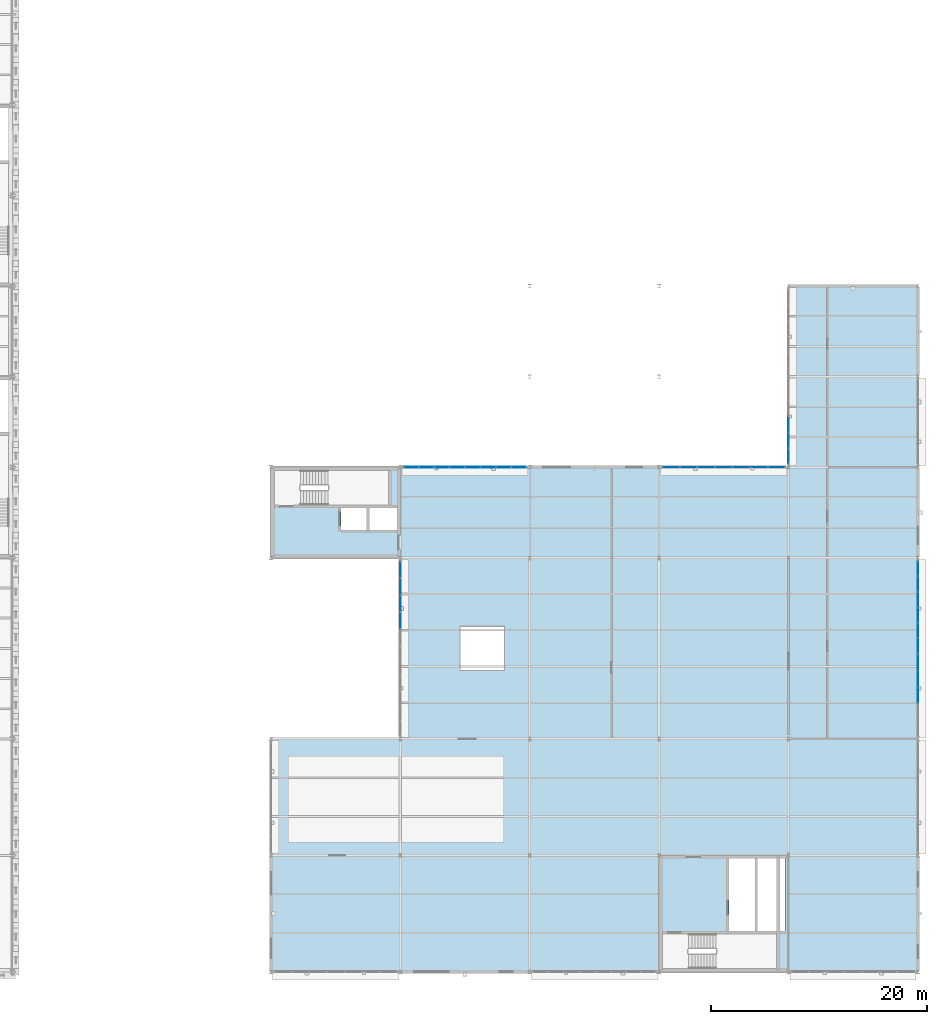
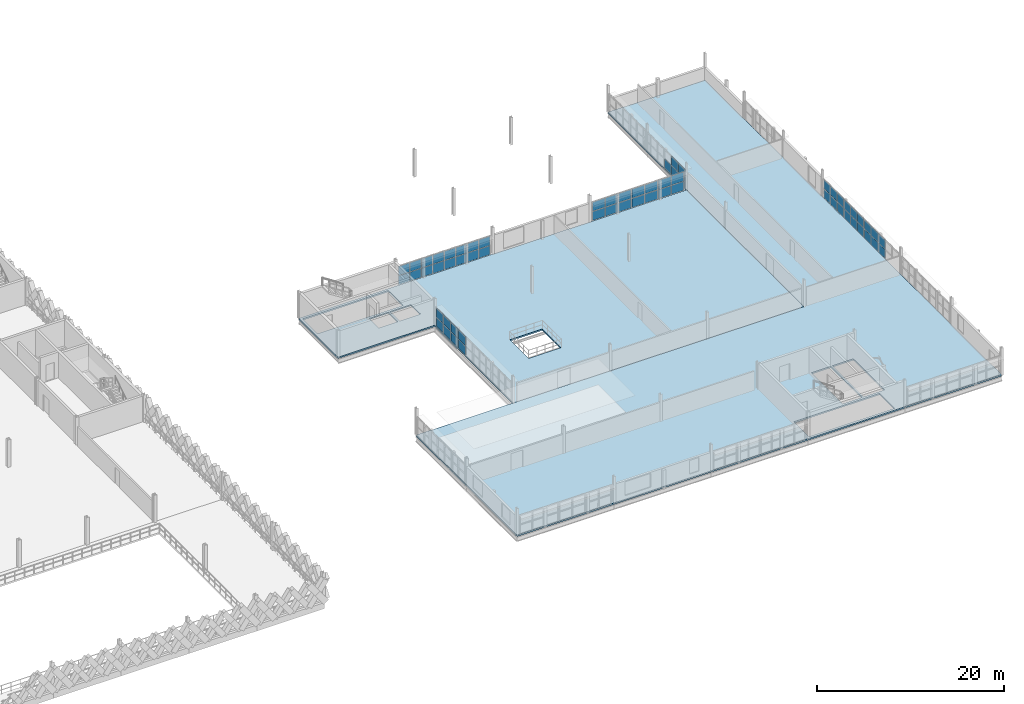
# One storey, part 52 of 79: 61 plates, 2 slabs, 6 elements without a shape of their own.
"""IFC4 building model written with IfcOpenShell, lengths in metres."""

from ifc_helpers import new_model, si_unit, direction, frame, origin, origin_2d, place, context, subcontext, project, spatial, polyline, rectangle, outline, extrude, material, layer, layer_set, type_object, element, aggregate, save


model = new_model("IFC4")

# Units and contexts
model_context = context("Model", 3, precision=1e-05, world=origin(), true_north=direction((0.0, 1.0)))
body_context = subcontext(model_context, "Body", "Model", "MODEL_VIEW")
ifc_project = project(units=[si_unit("LENGTHUNIT", "METRE"), si_unit("AREAUNIT", "SQUARE_METRE"), si_unit("VOLUMEUNIT", "CUBIC_METRE"), si_unit("PLANEANGLEUNIT", "RADIAN"), si_unit("MASSUNIT", "GRAM", prefix="KILO"), si_unit("THERMODYNAMICTEMPERATUREUNIT", "KELVIN"), si_unit("POWERUNIT", "WATT")], contexts=[model_context])

# Site, building, storey
site_placement = place(None, origin())
site = spatial("IfcSite", under=ifc_project, at=site_placement, CompositionType="ELEMENT")
building_placement = place(site_placement, origin())
building = spatial("IfcBuilding", under=site, at=building_placement, Name="Tembeka Court Mobility Hub", CompositionType="ELEMENT")
storey_placement = place(building_placement, frame((0.0, 0.0, 9.0)))
storey = spatial("IfcBuildingStorey", under=building, at=storey_placement, Name="L02", CompositionType="ELEMENT", Elevation=9.0)

# Curtain wall, plates
ifc_material_1 = material(Name="Anodised aluminium 6063-T6", Category="aluminium")
ifc_layer_1 = layer(ifc_material_1, 0.159912109375)
ifc_layer_set_1 = layer_set([ifc_layer_1], Name="Anodised aluminium 6063-T6")
curtain_wall_type_1 = type_object("IfcCurtainWallType", Name="CW-SYS52", PredefinedType="USERDEFINED", material=ifc_layer_set_1)
curtain_wall_1_placement = place(storey_placement, origin())
curtain_wall_1 = element("IfcCurtainWall", 1, at=curtain_wall_1_placement, inside=storey, type_object=curtain_wall_type_1, Name="Unitised curtain wall CW52 (CW-L02-125)", ObjectType="UNITISED GLAZING", PredefinedType="USERDEFINED")
ifc_material_2 = material(Name="Laminated solar-control low-E glass", Category="glass")
ifc_layer_2 = layer(ifc_material_2, 0.028076171875)
ifc_layer_set_2 = layer_set([ifc_layer_2], Name="Laminated solar-control low-E glass")
plate_type_1 = type_object("IfcPlateType", Name="PL-CW01", PredefinedType="CURTAIN_PANEL", material=ifc_layer_set_2)
plate_1_placement = place(storey_placement, frame((176.39990234375, 30.249267578125, 0.06494140625), z_axis=(0.0, 0.0, 1.0), x_axis=(0.0, 1.0, 0.0)))
plate_1 = element("IfcPlate", 2, at=plate_1_placement, type_object=plate_type_1, Name="CW52 panel 1.1", PredefinedType="CURTAIN_PANEL", context=body_context, shape_type="SweptSolid", body=[
    extrude(rectangle(XDim=1.33642578125, YDim=0.028076171875, at=origin_2d()), origin(), (0.0, 0.0, 1.0), 1.169921875),
])
plate_2_placement = place(storey_placement, frame((176.39990234375, 30.249267578125, 1.300048828125), z_axis=(0.0, 0.0, 1.0), x_axis=(0.0, 1.0, 0.0)))
plate_2 = element("IfcPlate", 3, at=plate_2_placement, type_object=plate_type_1, Name="CW52 panel 1.2", PredefinedType="CURTAIN_PANEL", context=body_context, shape_type="SweptSolid", body=[
    extrude(rectangle(XDim=1.33642578125, YDim=0.028076171875, at=origin_2d()), origin(), (0.0, 0.0, 1.0), 1.169921875),
])
plate_3_placement = place(storey_placement, frame((176.39990234375, 31.6669921875, 0.06494140625), z_axis=(0.0, 0.0, 1.0), x_axis=(0.0, 1.0, 0.0)))
plate_3 = element("IfcPlate", 4, at=plate_3_placement, type_object=plate_type_1, Name="CW52 panel 2.1", PredefinedType="CURTAIN_PANEL", context=body_context, shape_type="SweptSolid", body=[
    extrude(rectangle(XDim=1.368896484375, YDim=0.028076171875, at=origin_2d()), origin(), (0.0, 0.0, 1.0), 1.169921875),
])
plate_4_placement = place(storey_placement, frame((176.39990234375, 31.6669921875, 1.300048828125), z_axis=(0.0, 0.0, 1.0), x_axis=(0.0, 1.0, 0.0)))
plate_4 = element("IfcPlate", 5, at=plate_4_placement, type_object=plate_type_1, Name="CW52 panel 2.2", PredefinedType="CURTAIN_PANEL", context=body_context, shape_type="SweptSolid", body=[
    extrude(rectangle(XDim=1.368896484375, YDim=0.028076171875, at=origin_2d()), origin(), (0.0, 0.0, 1.0), 1.169921875),
])
plate_5_placement = place(storey_placement, frame((176.39990234375, 33.10107421875, 0.06494140625), z_axis=(0.0, 0.0, 1.0), x_axis=(0.0, 1.0, 0.0)))
plate_5 = element("IfcPlate", 6, at=plate_5_placement, type_object=plate_type_1, Name="CW52 panel 3.1", PredefinedType="CURTAIN_PANEL", context=body_context, shape_type="SweptSolid", body=[
    extrude(rectangle(XDim=1.368896484375, YDim=0.028076171875, at=origin_2d()), origin(), (0.0, 0.0, 1.0), 1.169921875),
])
plate_6_placement = place(storey_placement, frame((176.39990234375, 33.10107421875, 1.300048828125), z_axis=(0.0, 0.0, 1.0), x_axis=(0.0, 1.0, 0.0)))
plate_6 = element("IfcPlate", 7, at=plate_6_placement, type_object=plate_type_1, Name="CW52 panel 3.2", PredefinedType="CURTAIN_PANEL", context=body_context, shape_type="SweptSolid", body=[
    extrude(rectangle(XDim=1.368896484375, YDim=0.028076171875, at=origin_2d()), origin(), (0.0, 0.0, 1.0), 1.169921875),
])
plate_7_placement = place(storey_placement, frame((176.39990234375, 34.534912109375, 0.06494140625), z_axis=(0.0, 0.0, 1.0), x_axis=(0.0, 1.0, 0.0)))
plate_7 = element("IfcPlate", 8, at=plate_7_placement, type_object=plate_type_1, Name="CW52 panel 4.1", PredefinedType="CURTAIN_PANEL", context=body_context, shape_type="SweptSolid", body=[
    extrude(rectangle(XDim=1.368896484375, YDim=0.028076171875, at=origin_2d()), origin(), (0.0, 0.0, 1.0), 1.169921875),
])
plate_8_placement = place(storey_placement, frame((176.39990234375, 34.534912109375, 1.300048828125), z_axis=(0.0, 0.0, 1.0), x_axis=(0.0, 1.0, 0.0)))
plate_8 = element("IfcPlate", 9, at=plate_8_placement, type_object=plate_type_1, Name="CW52 panel 4.2", PredefinedType="CURTAIN_PANEL", context=body_context, shape_type="SweptSolid", body=[
    extrude(rectangle(XDim=1.368896484375, YDim=0.028076171875, at=origin_2d()), origin(), (0.0, 0.0, 1.0), 1.169921875),
])
plate_9_placement = place(storey_placement, frame((176.39990234375, 35.968994140625, 0.06494140625), z_axis=(0.0, 0.0, 1.0), x_axis=(0.0, 1.0, 0.0)))
plate_9 = element("IfcPlate", 10, at=plate_9_placement, type_object=plate_type_1, Name="CW52 panel 5.1", PredefinedType="CURTAIN_PANEL", context=body_context, shape_type="SweptSolid", body=[
    extrude(rectangle(XDim=1.368896484375, YDim=0.028076171875, at=origin_2d()), origin(), (0.0, 0.0, 1.0), 1.169921875),
])
plate_10_placement = place(storey_placement, frame((176.39990234375, 35.968994140625, 1.300048828125), z_axis=(0.0, 0.0, 1.0), x_axis=(0.0, 1.0, 0.0)))
plate_10 = element("IfcPlate", 11, at=plate_10_placement, type_object=plate_type_1, Name="CW52 panel 5.2", PredefinedType="CURTAIN_PANEL", context=body_context, shape_type="SweptSolid", body=[
    extrude(rectangle(XDim=1.368896484375, YDim=0.028076171875, at=origin_2d()), origin(), (0.0, 0.0, 1.0), 1.169921875),
])
plate_11_placement = place(storey_placement, frame((176.39990234375, 37.38671875, 0.06494140625), z_axis=(0.0, 0.0, 1.0), x_axis=(0.0, 1.0, 0.0)))
plate_11 = element("IfcPlate", 12, at=plate_11_placement, type_object=plate_type_1, Name="CW52 panel 6.1", PredefinedType="CURTAIN_PANEL", context=body_context, shape_type="SweptSolid", body=[
    extrude(rectangle(XDim=1.33642578125, YDim=0.028076171875, at=origin_2d()), origin(), (0.0, 0.0, 1.0), 1.169921875),
])
plate_12_placement = place(storey_placement, frame((176.39990234375, 37.38671875, 1.300048828125), z_axis=(0.0, 0.0, 1.0), x_axis=(0.0, 1.0, 0.0)))
plate_12 = element("IfcPlate", 13, at=plate_12_placement, type_object=plate_type_1, Name="CW52 panel 6.2", PredefinedType="CURTAIN_PANEL", context=body_context, shape_type="SweptSolid", body=[
    extrude(rectangle(XDim=1.33642578125, YDim=0.028076171875, at=origin_2d()), origin(), (0.0, 0.0, 1.0), 1.169921875),
])
aggregate(curtain_wall_1, [plate_1, plate_2, plate_3, plate_4, plate_5, plate_6, plate_7, plate_8, plate_9, plate_10, plate_11, plate_12])

ifc_layer_3 = layer(ifc_material_1, 0.159912109375)
ifc_layer_set_3 = layer_set([ifc_layer_3], Name="Anodised aluminium 6063-T6")
curtain_wall_type_2 = type_object("IfcCurtainWallType", Name="CW-SYS46", PredefinedType="USERDEFINED", material=ifc_layer_set_3)
curtain_wall_2_placement = place(storey_placement, origin())
curtain_wall_2 = element("IfcCurtainWall", 14, at=curtain_wall_2_placement, inside=storey, type_object=curtain_wall_type_2, Name="Unitised curtain wall CW46 (CW-L02-127)", ObjectType="UNITISED GLAZING", PredefinedType="USERDEFINED")
plate_13_placement = place(storey_placement, frame((164.39990234375, 47.83447265625, 0.06494140625), z_axis=(0.0, 0.0, 1.0), x_axis=(0.0, 1.0, 0.0)))
plate_13 = element("IfcPlate", 15, at=plate_13_placement, type_object=plate_type_1, Name="CW46 panel 1.1", PredefinedType="CURTAIN_PANEL", context=body_context, shape_type="SweptSolid", body=[
    extrude(rectangle(XDim=1.37890625, YDim=0.028076171875, at=origin_2d()), origin(), (0.0, 0.0, 1.0), 1.169921875),
])
plate_14_placement = place(storey_placement, frame((164.39990234375, 47.83447265625, 1.300048828125), z_axis=(0.0, 0.0, 1.0), x_axis=(0.0, 1.0, 0.0)))
plate_14 = element("IfcPlate", 16, at=plate_14_placement, type_object=plate_type_1, Name="CW46 panel 1.2", PredefinedType="CURTAIN_PANEL", context=body_context, shape_type="SweptSolid", body=[
    extrude(rectangle(XDim=1.37890625, YDim=0.028076171875, at=origin_2d()), origin(), (0.0, 0.0, 1.0), 1.169921875),
])
plate_15_placement = place(storey_placement, frame((164.39990234375, 49.29443359375, 0.06494140625), z_axis=(0.0, 0.0, 1.0), x_axis=(0.0, 1.0, 0.0)))
plate_15 = element("IfcPlate", 17, at=plate_15_placement, type_object=plate_type_1, Name="CW46 panel 2.1", PredefinedType="CURTAIN_PANEL", context=body_context, shape_type="SweptSolid", body=[
    extrude(rectangle(XDim=1.411376953125, YDim=0.028076171875, at=origin_2d()), origin(), (0.0, 0.0, 1.0), 1.169921875),
])
plate_16_placement = place(storey_placement, frame((164.39990234375, 49.29443359375, 1.300048828125), z_axis=(0.0, 0.0, 1.0), x_axis=(0.0, 1.0, 0.0)))
plate_16 = element("IfcPlate", 18, at=plate_16_placement, type_object=plate_type_1, Name="CW46 panel 2.2", PredefinedType="CURTAIN_PANEL", context=body_context, shape_type="SweptSolid", body=[
    extrude(rectangle(XDim=1.411376953125, YDim=0.028076171875, at=origin_2d()), origin(), (0.0, 0.0, 1.0), 1.169921875),
])
plate_17_placement = place(storey_placement, frame((164.39990234375, 50.77099609375, 0.06494140625), z_axis=(0.0, 0.0, 1.0), x_axis=(0.0, 1.0, 0.0)))
plate_17 = element("IfcPlate", 19, at=plate_17_placement, type_object=plate_type_1, Name="CW46 panel 3.1", PredefinedType="CURTAIN_PANEL", context=body_context, shape_type="SweptSolid", body=[
    extrude(rectangle(XDim=1.411376953125, YDim=0.028076171875, at=origin_2d()), origin(), (0.0, 0.0, 1.0), 1.169921875),
])
aggregate(curtain_wall_2, [plate_13, plate_14, plate_15, plate_16, plate_17])

ifc_layer_4 = layer(ifc_material_1, 0.159912109375)
ifc_layer_set_4 = layer_set([ifc_layer_4], Name="Anodised aluminium 6063-T6")
curtain_wall_type_3 = type_object("IfcCurtainWallType", Name="CW-SYS41", PredefinedType="USERDEFINED", material=ifc_layer_set_4)
curtain_wall_3_placement = place(storey_placement, origin())
curtain_wall_3 = element("IfcCurtainWall", 20, at=curtain_wall_3_placement, inside=storey, type_object=curtain_wall_type_3, Name="Unitised curtain wall CW41 (CW-L02-129)", ObjectType="UNITISED GLAZING", PredefinedType="USERDEFINED")
plate_18_placement = place(storey_placement, frame((153.513427734375, 46.800048828125, 0.06494140625), z_axis=(0.0, 0.0, 1.0), x_axis=(1.0, 0.0, 0.0)))
plate_18 = element("IfcPlate", 21, at=plate_18_placement, type_object=plate_type_1, Name="CW41 panel 1.1", PredefinedType="CURTAIN_PANEL", context=body_context, shape_type="SweptSolid", body=[
    extrude(rectangle(XDim=1.536865234375, YDim=0.028076171875, at=origin_2d()), origin(), (0.0, 0.0, 1.0), 1.169921875),
])
plate_19_placement = place(storey_placement, frame((153.513427734375, 46.800048828125, 1.300048828125), z_axis=(0.0, 0.0, 1.0), x_axis=(1.0, 0.0, 0.0)))
plate_19 = element("IfcPlate", 22, at=plate_19_placement, type_object=plate_type_1, Name="CW41 panel 1.2", PredefinedType="CURTAIN_PANEL", context=body_context, shape_type="SweptSolid", body=[
    extrude(rectangle(XDim=1.536865234375, YDim=0.028076171875, at=origin_2d()), origin(), (0.0, 0.0, 1.0), 1.169921875),
])
plate_20_placement = place(storey_placement, frame((155.13134765625, 46.800048828125, 0.06494140625), z_axis=(0.0, 0.0, 1.0), x_axis=(1.0, 0.0, 0.0)))
plate_20 = element("IfcPlate", 23, at=plate_20_placement, type_object=plate_type_1, Name="CW41 panel 2.1", PredefinedType="CURTAIN_PANEL", context=body_context, shape_type="SweptSolid", body=[
    extrude(rectangle(XDim=1.5693359375, YDim=0.028076171875, at=origin_2d()), origin(), (0.0, 0.0, 1.0), 1.169921875),
])
plate_21_placement = place(storey_placement, frame((155.13134765625, 46.800048828125, 1.300048828125), z_axis=(0.0, 0.0, 1.0), x_axis=(1.0, 0.0, 0.0)))
plate_21 = element("IfcPlate", 24, at=plate_21_placement, type_object=plate_type_1, Name="CW41 panel 2.2", PredefinedType="CURTAIN_PANEL", context=body_context, shape_type="SweptSolid", body=[
    extrude(rectangle(XDim=1.5693359375, YDim=0.028076171875, at=origin_2d()), origin(), (0.0, 0.0, 1.0), 1.169921875),
])
plate_22_placement = place(storey_placement, frame((156.765625, 46.800048828125, 0.06494140625), z_axis=(0.0, 0.0, 1.0), x_axis=(1.0, 0.0, 0.0)))
plate_22 = element("IfcPlate", 25, at=plate_22_placement, type_object=plate_type_1, Name="CW41 panel 3.1", PredefinedType="CURTAIN_PANEL", context=body_context, shape_type="SweptSolid", body=[
    extrude(rectangle(XDim=1.5693359375, YDim=0.028076171875, at=origin_2d()), origin(), (0.0, 0.0, 1.0), 1.169921875),
])
plate_23_placement = place(storey_placement, frame((156.765625, 46.800048828125, 1.300048828125), z_axis=(0.0, 0.0, 1.0), x_axis=(1.0, 0.0, 0.0)))
plate_23 = element("IfcPlate", 26, at=plate_23_placement, type_object=plate_type_1, Name="CW41 panel 3.2", PredefinedType="CURTAIN_PANEL", context=body_context, shape_type="SweptSolid", body=[
    extrude(rectangle(XDim=1.5693359375, YDim=0.028076171875, at=origin_2d()), origin(), (0.0, 0.0, 1.0), 1.169921875),
])
plate_24_placement = place(storey_placement, frame((158.39990234375, 46.800048828125, 0.06494140625), z_axis=(0.0, 0.0, 1.0), x_axis=(1.0, 0.0, 0.0)))
plate_24 = element("IfcPlate", 27, at=plate_24_placement, type_object=plate_type_1, Name="CW41 panel 4.1", PredefinedType="CURTAIN_PANEL", context=body_context, shape_type="SweptSolid", body=[
    extrude(rectangle(XDim=1.5693359375, YDim=0.028076171875, at=origin_2d()), origin(), (0.0, 0.0, 1.0), 1.169921875),
])
plate_25_placement = place(storey_placement, frame((158.39990234375, 46.800048828125, 1.300048828125), z_axis=(0.0, 0.0, 1.0), x_axis=(1.0, 0.0, 0.0)))
plate_25 = element("IfcPlate", 28, at=plate_25_placement, type_object=plate_type_1, Name="CW41 panel 4.2", PredefinedType="CURTAIN_PANEL", context=body_context, shape_type="SweptSolid", body=[
    extrude(rectangle(XDim=1.5693359375, YDim=0.028076171875, at=origin_2d()), origin(), (0.0, 0.0, 1.0), 1.169921875),
])
plate_26_placement = place(storey_placement, frame((160.0341796875, 46.800048828125, 0.06494140625), z_axis=(0.0, 0.0, 1.0), x_axis=(1.0, 0.0, 0.0)))
plate_26 = element("IfcPlate", 29, at=plate_26_placement, type_object=plate_type_1, Name="CW41 panel 5.1", PredefinedType="CURTAIN_PANEL", context=body_context, shape_type="SweptSolid", body=[
    extrude(rectangle(XDim=1.5693359375, YDim=0.028076171875, at=origin_2d()), origin(), (0.0, 0.0, 1.0), 1.169921875),
])
plate_27_placement = place(storey_placement, frame((160.0341796875, 46.800048828125, 1.300048828125), z_axis=(0.0, 0.0, 1.0), x_axis=(1.0, 0.0, 0.0)))
plate_27 = element("IfcPlate", 30, at=plate_27_placement, type_object=plate_type_1, Name="CW41 panel 5.2", PredefinedType="CURTAIN_PANEL", context=body_context, shape_type="SweptSolid", body=[
    extrude(rectangle(XDim=1.5693359375, YDim=0.028076171875, at=origin_2d()), origin(), (0.0, 0.0, 1.0), 1.169921875),
])
plate_28_placement = place(storey_placement, frame((161.66845703125, 46.800048828125, 0.06494140625), z_axis=(0.0, 0.0, 1.0), x_axis=(1.0, 0.0, 0.0)))
plate_28 = element("IfcPlate", 31, at=plate_28_placement, type_object=plate_type_1, Name="CW41 panel 6.1", PredefinedType="CURTAIN_PANEL", context=body_context, shape_type="SweptSolid", body=[
    extrude(rectangle(XDim=1.5693359375, YDim=0.028076171875, at=origin_2d()), origin(), (0.0, 0.0, 1.0), 1.169921875),
])
plate_29_placement = place(storey_placement, frame((161.66845703125, 46.800048828125, 1.300048828125), z_axis=(0.0, 0.0, 1.0), x_axis=(1.0, 0.0, 0.0)))
plate_29 = element("IfcPlate", 32, at=plate_29_placement, type_object=plate_type_1, Name="CW41 panel 6.2", PredefinedType="CURTAIN_PANEL", context=body_context, shape_type="SweptSolid", body=[
    extrude(rectangle(XDim=1.5693359375, YDim=0.028076171875, at=origin_2d()), origin(), (0.0, 0.0, 1.0), 1.169921875),
])
plate_30_placement = place(storey_placement, frame((163.28662109375, 46.800048828125, 0.06494140625), z_axis=(0.0, 0.0, 1.0), x_axis=(1.0, 0.0, 0.0)))
plate_30 = element("IfcPlate", 33, at=plate_30_placement, type_object=plate_type_1, Name="CW41 panel 7.1", PredefinedType="CURTAIN_PANEL", context=body_context, shape_type="SweptSolid", body=[
    extrude(rectangle(XDim=1.536865234375, YDim=0.028076171875, at=origin_2d()), origin(), (0.0, 0.0, 1.0), 1.169921875),
])
plate_31_placement = place(storey_placement, frame((163.28662109375, 46.800048828125, 1.300048828125), z_axis=(0.0, 0.0, 1.0), x_axis=(1.0, 0.0, 0.0)))
plate_31 = element("IfcPlate", 34, at=plate_31_placement, type_object=plate_type_1, Name="CW41 panel 7.2", PredefinedType="CURTAIN_PANEL", context=body_context, shape_type="SweptSolid", body=[
    extrude(rectangle(XDim=1.536865234375, YDim=0.028076171875, at=origin_2d()), origin(), (0.0, 0.0, 1.0), 1.169921875),
])
aggregate(curtain_wall_3, [plate_18, plate_19, plate_20, plate_21, plate_22, plate_23, plate_24, plate_25, plate_26, plate_27, plate_28, plate_29, plate_30, plate_31])

ifc_layer_5 = layer(ifc_material_1, 0.159912109375)
ifc_layer_set_5 = layer_set([ifc_layer_5], Name="Anodised aluminium 6063-T6")
curtain_wall_type_4 = type_object("IfcCurtainWallType", Name="CW-SYS51", PredefinedType="USERDEFINED", material=ifc_layer_set_5)
curtain_wall_4_placement = place(storey_placement, origin())
curtain_wall_4 = element("IfcCurtainWall", 35, at=curtain_wall_4_placement, inside=storey, type_object=curtain_wall_type_4, Name="Unitised curtain wall CW51 (CW-L02-124)", ObjectType="UNITISED GLAZING", PredefinedType="USERDEFINED")
ifc_material_3 = material(Name="Insulated aluminium spandrel panel", Category="aluminium")
ifc_layer_6 = layer(ifc_material_3, 0.052001953125)
ifc_layer_set_6 = layer_set([ifc_layer_6], Name="Insulated aluminium spandrel panel")
plate_type_2 = type_object("IfcPlateType", Name="PL-CW02", PredefinedType="CURTAIN_PANEL", material=ifc_layer_set_6)
plate_32_placement = place(storey_placement, frame((176.39990234375, 25.677978515625, 0.06494140625), z_axis=(0.0, 0.0, 1.0), x_axis=(0.0, 1.0, 0.0)))
plate_32 = element("IfcPlate", 36, at=plate_32_placement, type_object=plate_type_2, Name="CW51 panel 3.1", PredefinedType="CURTAIN_PANEL", context=body_context, shape_type="SweptSolid", body=[
    extrude(rectangle(XDim=1.4541015625, YDim=0.052001953125, at=origin_2d()), origin(), (0.0, 0.0, 1.0), 1.169921875),
])
plate_33_placement = place(storey_placement, frame((176.39990234375, 25.677978515625, 1.300048828125), z_axis=(0.0, 0.0, 1.0), x_axis=(0.0, 1.0, 0.0)))
plate_33 = element("IfcPlate", 37, at=plate_33_placement, type_object=plate_type_2, Name="CW51 panel 3.2", PredefinedType="CURTAIN_PANEL", context=body_context, shape_type="SweptSolid", body=[
    extrude(rectangle(XDim=1.4541015625, YDim=0.052001953125, at=origin_2d()), origin(), (0.0, 0.0, 1.0), 1.169921875),
])
plate_34_placement = place(storey_placement, frame((176.39990234375, 27.197265625, 0.06494140625), z_axis=(0.0, 0.0, 1.0), x_axis=(0.0, 1.0, 0.0)))
plate_34 = element("IfcPlate", 38, at=plate_34_placement, type_object=plate_type_2, Name="CW51 panel 4.1", PredefinedType="CURTAIN_PANEL", context=body_context, shape_type="SweptSolid", body=[
    extrude(rectangle(XDim=1.4541015625, YDim=0.052001953125, at=origin_2d()), origin(), (0.0, 0.0, 1.0), 1.169921875),
])
plate_35_placement = place(storey_placement, frame((176.39990234375, 27.197265625, 1.300048828125), z_axis=(0.0, 0.0, 1.0), x_axis=(0.0, 1.0, 0.0)))
plate_35 = element("IfcPlate", 39, at=plate_35_placement, type_object=plate_type_2, Name="CW51 panel 4.2", PredefinedType="CURTAIN_PANEL", context=body_context, shape_type="SweptSolid", body=[
    extrude(rectangle(XDim=1.4541015625, YDim=0.052001953125, at=origin_2d()), origin(), (0.0, 0.0, 1.0), 1.169921875),
])
plate_36_placement = place(storey_placement, frame((176.39990234375, 28.7001953125, 0.06494140625), z_axis=(0.0, 0.0, 1.0), x_axis=(0.0, 1.0, 0.0)))
plate_36 = element("IfcPlate", 40, at=plate_36_placement, type_object=plate_type_2, Name="CW51 panel 5.1", PredefinedType="CURTAIN_PANEL", context=body_context, shape_type="SweptSolid", body=[
    extrude(rectangle(XDim=1.421630859375, YDim=0.052001953125, at=origin_2d()), origin(), (0.0, 0.0, 1.0), 1.169921875),
])
plate_37_placement = place(storey_placement, frame((176.39990234375, 28.7001953125, 1.300048828125), z_axis=(0.0, 0.0, 1.0), x_axis=(0.0, 1.0, 0.0)))
plate_37 = element("IfcPlate", 41, at=plate_37_placement, type_object=plate_type_2, Name="CW51 panel 5.2", PredefinedType="CURTAIN_PANEL", context=body_context, shape_type="SweptSolid", body=[
    extrude(rectangle(XDim=1.421630859375, YDim=0.052001953125, at=origin_2d()), origin(), (0.0, 0.0, 1.0), 1.169921875),
])
aggregate(curtain_wall_4, [plate_32, plate_33, plate_34, plate_35, plate_36, plate_37])

curtain_wall_5_placement = place(storey_placement, origin())
curtain_wall_5 = element("IfcCurtainWall", 42, at=curtain_wall_5_placement, inside=storey, type_object=curtain_wall_type_3, Name="Unitised curtain wall CW41 (CW-L02-128)", ObjectType="UNITISED GLAZING", PredefinedType="USERDEFINED")
plate_38_placement = place(storey_placement, frame((129.4111328125, 46.800048828125, 0.06494140625), z_axis=(0.0, 0.0, 1.0), x_axis=(1.0, 0.0, 0.0)))
plate_38 = element("IfcPlate", 43, at=plate_38_placement, type_object=plate_type_2, Name="CW41 panel 1.1", PredefinedType="CURTAIN_PANEL", context=body_context, shape_type="SweptSolid", body=[
    extrude(rectangle(XDim=1.33251953125, YDim=0.052001953125, at=origin_2d()), origin(), (0.0, 0.0, 1.0), 1.169921875),
])
plate_39_placement = place(storey_placement, frame((129.4111328125, 46.800048828125, 1.300048828125), z_axis=(0.0, 0.0, 1.0), x_axis=(1.0, 0.0, 0.0)))
plate_39 = element("IfcPlate", 44, at=plate_39_placement, type_object=plate_type_2, Name="CW41 panel 1.2", PredefinedType="CURTAIN_PANEL", context=body_context, shape_type="SweptSolid", body=[
    extrude(rectangle(XDim=1.33251953125, YDim=0.052001953125, at=origin_2d()), origin(), (0.0, 0.0, 1.0), 1.169921875),
])
plate_40_placement = place(storey_placement, frame((130.824951171875, 46.800048828125, 0.06494140625), z_axis=(0.0, 0.0, 1.0), x_axis=(1.0, 0.0, 0.0)))
plate_40 = element("IfcPlate", 45, at=plate_40_placement, type_object=plate_type_2, Name="CW41 panel 2.1", PredefinedType="CURTAIN_PANEL", context=body_context, shape_type="SweptSolid", body=[
    extrude(rectangle(XDim=1.364990234375, YDim=0.052001953125, at=origin_2d()), origin(), (0.0, 0.0, 1.0), 1.169921875),
])
plate_41_placement = place(storey_placement, frame((130.824951171875, 46.800048828125, 1.300048828125), z_axis=(0.0, 0.0, 1.0), x_axis=(1.0, 0.0, 0.0)))
plate_41 = element("IfcPlate", 46, at=plate_41_placement, type_object=plate_type_2, Name="CW41 panel 2.2", PredefinedType="CURTAIN_PANEL", context=body_context, shape_type="SweptSolid", body=[
    extrude(rectangle(XDim=1.364990234375, YDim=0.052001953125, at=origin_2d()), origin(), (0.0, 0.0, 1.0), 1.169921875),
])
plate_42_placement = place(storey_placement, frame((132.2548828125, 46.800048828125, 0.06494140625), z_axis=(0.0, 0.0, 1.0), x_axis=(1.0, 0.0, 0.0)))
plate_42 = element("IfcPlate", 47, at=plate_42_placement, type_object=plate_type_2, Name="CW41 panel 3.1", PredefinedType="CURTAIN_PANEL", context=body_context, shape_type="SweptSolid", body=[
    extrude(rectangle(XDim=1.364990234375, YDim=0.052001953125, at=origin_2d()), origin(), (0.0, 0.0, 1.0), 1.169921875),
])
plate_43_placement = place(storey_placement, frame((132.2548828125, 46.800048828125, 1.300048828125), z_axis=(0.0, 0.0, 1.0), x_axis=(1.0, 0.0, 0.0)))
plate_43 = element("IfcPlate", 48, at=plate_43_placement, type_object=plate_type_2, Name="CW41 panel 3.2", PredefinedType="CURTAIN_PANEL", context=body_context, shape_type="SweptSolid", body=[
    extrude(rectangle(XDim=1.364990234375, YDim=0.052001953125, at=origin_2d()), origin(), (0.0, 0.0, 1.0), 1.169921875),
])
plate_44_placement = place(storey_placement, frame((133.68505859375, 46.800048828125, 0.06494140625), z_axis=(0.0, 0.0, 1.0), x_axis=(1.0, 0.0, 0.0)))
plate_44 = element("IfcPlate", 49, at=plate_44_placement, type_object=plate_type_2, Name="CW41 panel 4.1", PredefinedType="CURTAIN_PANEL", context=body_context, shape_type="SweptSolid", body=[
    extrude(rectangle(XDim=1.364990234375, YDim=0.052001953125, at=origin_2d()), origin(), (0.0, 0.0, 1.0), 1.169921875),
])
plate_45_placement = place(storey_placement, frame((133.68505859375, 46.800048828125, 1.300048828125), z_axis=(0.0, 0.0, 1.0), x_axis=(1.0, 0.0, 0.0)))
plate_45 = element("IfcPlate", 50, at=plate_45_placement, type_object=plate_type_2, Name="CW41 panel 4.2", PredefinedType="CURTAIN_PANEL", context=body_context, shape_type="SweptSolid", body=[
    extrude(rectangle(XDim=1.364990234375, YDim=0.052001953125, at=origin_2d()), origin(), (0.0, 0.0, 1.0), 1.169921875),
])
plate_46_placement = place(storey_placement, frame((135.114990234375, 46.800048828125, 0.06494140625), z_axis=(0.0, 0.0, 1.0), x_axis=(1.0, 0.0, 0.0)))
plate_46 = element("IfcPlate", 51, at=plate_46_placement, type_object=plate_type_2, Name="CW41 panel 5.1", PredefinedType="CURTAIN_PANEL", context=body_context, shape_type="SweptSolid", body=[
    extrude(rectangle(XDim=1.364990234375, YDim=0.052001953125, at=origin_2d()), origin(), (0.0, 0.0, 1.0), 1.169921875),
])
plate_47_placement = place(storey_placement, frame((135.114990234375, 46.800048828125, 1.300048828125), z_axis=(0.0, 0.0, 1.0), x_axis=(1.0, 0.0, 0.0)))
plate_47 = element("IfcPlate", 52, at=plate_47_placement, type_object=plate_type_2, Name="CW41 panel 5.2", PredefinedType="CURTAIN_PANEL", context=body_context, shape_type="SweptSolid", body=[
    extrude(rectangle(XDim=1.364990234375, YDim=0.052001953125, at=origin_2d()), origin(), (0.0, 0.0, 1.0), 1.169921875),
])
plate_48_placement = place(storey_placement, frame((136.544921875, 46.800048828125, 0.06494140625), z_axis=(0.0, 0.0, 1.0), x_axis=(1.0, 0.0, 0.0)))
plate_48 = element("IfcPlate", 53, at=plate_48_placement, type_object=plate_type_2, Name="CW41 panel 6.1", PredefinedType="CURTAIN_PANEL", context=body_context, shape_type="SweptSolid", body=[
    extrude(rectangle(XDim=1.364990234375, YDim=0.052001953125, at=origin_2d()), origin(), (0.0, 0.0, 1.0), 1.169921875),
])
plate_49_placement = place(storey_placement, frame((136.544921875, 46.800048828125, 1.300048828125), z_axis=(0.0, 0.0, 1.0), x_axis=(1.0, 0.0, 0.0)))
plate_49 = element("IfcPlate", 54, at=plate_49_placement, type_object=plate_type_2, Name="CW41 panel 6.2", PredefinedType="CURTAIN_PANEL", context=body_context, shape_type="SweptSolid", body=[
    extrude(rectangle(XDim=1.364990234375, YDim=0.052001953125, at=origin_2d()), origin(), (0.0, 0.0, 1.0), 1.169921875),
])
plate_50_placement = place(storey_placement, frame((137.97509765625, 46.800048828125, 0.06494140625), z_axis=(0.0, 0.0, 1.0), x_axis=(1.0, 0.0, 0.0)))
plate_50 = element("IfcPlate", 55, at=plate_50_placement, type_object=plate_type_2, Name="CW41 panel 7.1", PredefinedType="CURTAIN_PANEL", context=body_context, shape_type="SweptSolid", body=[
    extrude(rectangle(XDim=1.364990234375, YDim=0.052001953125, at=origin_2d()), origin(), (0.0, 0.0, 1.0), 1.169921875),
])
plate_51_placement = place(storey_placement, frame((137.97509765625, 46.800048828125, 1.300048828125), z_axis=(0.0, 0.0, 1.0), x_axis=(1.0, 0.0, 0.0)))
plate_51 = element("IfcPlate", 56, at=plate_51_placement, type_object=plate_type_2, Name="CW41 panel 7.2", PredefinedType="CURTAIN_PANEL", context=body_context, shape_type="SweptSolid", body=[
    extrude(rectangle(XDim=1.364990234375, YDim=0.052001953125, at=origin_2d()), origin(), (0.0, 0.0, 1.0), 1.169921875),
])
plate_52_placement = place(storey_placement, frame((139.388671875, 46.800048828125, 0.06494140625), z_axis=(0.0, 0.0, 1.0), x_axis=(1.0, 0.0, 0.0)))
plate_52 = element("IfcPlate", 57, at=plate_52_placement, type_object=plate_type_2, Name="CW41 panel 8.1", PredefinedType="CURTAIN_PANEL", context=body_context, shape_type="SweptSolid", body=[
    extrude(rectangle(XDim=1.33251953125, YDim=0.052001953125, at=origin_2d()), origin(), (0.0, 0.0, 1.0), 1.169921875),
])
plate_53_placement = place(storey_placement, frame((139.388671875, 46.800048828125, 1.300048828125), z_axis=(0.0, 0.0, 1.0), x_axis=(1.0, 0.0, 0.0)))
plate_53 = element("IfcPlate", 58, at=plate_53_placement, type_object=plate_type_2, Name="CW41 panel 8.2", PredefinedType="CURTAIN_PANEL", context=body_context, shape_type="SweptSolid", body=[
    extrude(rectangle(XDim=1.33251953125, YDim=0.052001953125, at=origin_2d()), origin(), (0.0, 0.0, 1.0), 1.169921875),
])
aggregate(curtain_wall_5, [plate_38, plate_39, plate_40, plate_41, plate_42, plate_43, plate_44, plate_45, plate_46, plate_47, plate_48, plate_49, plate_50, plate_51, plate_52, plate_53])

ifc_layer_7 = layer(ifc_material_1, 0.159912109375)
ifc_layer_set_7 = layer_set([ifc_layer_7], Name="Anodised aluminium 6063-T6")
curtain_wall_type_5 = type_object("IfcCurtainWallType", Name="CW-SYS54", PredefinedType="USERDEFINED", material=ifc_layer_set_7)
curtain_wall_6_placement = place(storey_placement, origin())
curtain_wall_6 = element("IfcCurtainWall", 59, at=curtain_wall_6_placement, inside=storey, type_object=curtain_wall_type_5, Name="Unitised curtain wall CW54 (CW-L02-132)", ObjectType="UNITISED GLAZING", PredefinedType="USERDEFINED")
plate_54_placement = place(storey_placement, frame((128.39990234375, 32.567626953125, 0.06494140625), z_axis=(0.0, 0.0, 1.0), x_axis=(0.0, 1.0, 0.0)))
plate_54 = element("IfcPlate", 60, at=plate_54_placement, type_object=plate_type_2, Name="CW54 panel 2.1", PredefinedType="CURTAIN_PANEL", context=body_context, shape_type="SweptSolid", body=[
    extrude(rectangle(XDim=1.521484375, YDim=0.052001953125, at=origin_2d()), origin(), (0.0, 0.0, 1.0), 1.169921875),
])
plate_55_placement = place(storey_placement, frame((128.39990234375, 32.567626953125, 1.300048828125), z_axis=(0.0, 0.0, 1.0), x_axis=(0.0, 1.0, 0.0)))
plate_55 = element("IfcPlate", 61, at=plate_55_placement, type_object=plate_type_2, Name="CW54 panel 2.2", PredefinedType="CURTAIN_PANEL", context=body_context, shape_type="SweptSolid", body=[
    extrude(rectangle(XDim=1.521484375, YDim=0.052001953125, at=origin_2d()), origin(), (0.0, 0.0, 1.0), 1.169921875),
])
plate_56_placement = place(storey_placement, frame((128.39990234375, 34.154052734375, 0.06494140625), z_axis=(0.0, 0.0, 1.0), x_axis=(0.0, 1.0, 0.0)))
plate_56 = element("IfcPlate", 62, at=plate_56_placement, type_object=plate_type_2, Name="CW54 panel 3.1", PredefinedType="CURTAIN_PANEL", context=body_context, shape_type="SweptSolid", body=[
    extrude(rectangle(XDim=1.521484375, YDim=0.052001953125, at=origin_2d()), origin(), (0.0, 0.0, 1.0), 1.169921875),
])
plate_57_placement = place(storey_placement, frame((128.39990234375, 34.154052734375, 1.300048828125), z_axis=(0.0, 0.0, 1.0), x_axis=(0.0, 1.0, 0.0)))
plate_57 = element("IfcPlate", 63, at=plate_57_placement, type_object=plate_type_2, Name="CW54 panel 3.2", PredefinedType="CURTAIN_PANEL", context=body_context, shape_type="SweptSolid", body=[
    extrude(rectangle(XDim=1.521484375, YDim=0.052001953125, at=origin_2d()), origin(), (0.0, 0.0, 1.0), 1.169921875),
])
plate_58_placement = place(storey_placement, frame((128.39990234375, 35.740478515625, 0.06494140625), z_axis=(0.0, 0.0, 1.0), x_axis=(0.0, 1.0, 0.0)))
plate_58 = element("IfcPlate", 64, at=plate_58_placement, type_object=plate_type_2, Name="CW54 panel 4.1", PredefinedType="CURTAIN_PANEL", context=body_context, shape_type="SweptSolid", body=[
    extrude(rectangle(XDim=1.521484375, YDim=0.052001953125, at=origin_2d()), origin(), (0.0, 0.0, 1.0), 1.169921875),
])
plate_59_placement = place(storey_placement, frame((128.39990234375, 35.740478515625, 1.300048828125), z_axis=(0.0, 0.0, 1.0), x_axis=(0.0, 1.0, 0.0)))
plate_59 = element("IfcPlate", 65, at=plate_59_placement, type_object=plate_type_2, Name="CW54 panel 4.2", PredefinedType="CURTAIN_PANEL", context=body_context, shape_type="SweptSolid", body=[
    extrude(rectangle(XDim=1.521484375, YDim=0.052001953125, at=origin_2d()), origin(), (0.0, 0.0, 1.0), 1.169921875),
])
plate_60_placement = place(storey_placement, frame((128.39990234375, 37.310546875, 0.06494140625), z_axis=(0.0, 0.0, 1.0), x_axis=(0.0, 1.0, 0.0)))
plate_60 = element("IfcPlate", 66, at=plate_60_placement, type_object=plate_type_2, Name="CW54 panel 5.1", PredefinedType="CURTAIN_PANEL", context=body_context, shape_type="SweptSolid", body=[
    extrude(rectangle(XDim=1.489013671875, YDim=0.052001953125, at=origin_2d()), origin(), (0.0, 0.0, 1.0), 1.169921875),
])
plate_61_placement = place(storey_placement, frame((128.39990234375, 37.310546875, 1.300048828125), z_axis=(0.0, 0.0, 1.0), x_axis=(0.0, 1.0, 0.0)))
plate_61 = element("IfcPlate", 67, at=plate_61_placement, type_object=plate_type_2, Name="CW54 panel 5.2", PredefinedType="CURTAIN_PANEL", context=body_context, shape_type="SweptSolid", body=[
    extrude(rectangle(XDim=1.489013671875, YDim=0.052001953125, at=origin_2d()), origin(), (0.0, 0.0, 1.0), 1.169921875),
])
aggregate(curtain_wall_6, [plate_54, plate_55, plate_56, plate_57, plate_58, plate_59, plate_60, plate_61])

# Slabs
ifc_material_4 = material(Name="Concrete C40/50", Category="concrete")
ifc_layer_8 = layer(ifc_material_4, 0.18994140625)
ifc_layer_set_8 = layer_set([ifc_layer_8], Name="Concrete C40/50")
slab_type = type_object("IfcSlabType", Name="SL-FL03", PredefinedType="FLOOR", material=ifc_layer_set_8)
slab_1_placement = place(storey_placement, frame((0.0, 0.0, -0.18994140625)))
element("IfcSlab", 68, at=slab_1_placement, inside=storey, type_object=slab_type, Name="L02 bicycle mobility arcade slab", PredefinedType="FLOOR", context=body_context, shape_type="SweptSolid", body=[
    extrude(outline(polyline([(128.39990234375, 21.60009765625), (164.39990234375, 21.60009765625), (164.39990234375, 46.800048828125), (116.39990234375, 46.800048828125), (116.39990234375, 38.39990234375), (128.39990234375, 38.39990234375), (128.39990234375, 21.60009765625)]), holes=[polyline([(116.699951171875, 46.5), (127.300048828125, 46.5), (127.300048828125, 43.300048828125), (116.699951171875, 43.300048828125), (116.699951171875, 46.5)]), polyline([(122.89990234375, 43.0), (125.300048828125, 43.0), (125.300048828125, 40.949951171875), (122.89990234375, 40.949951171875), (122.89990234375, 43.0)]), polyline([(125.5, 43.0), (128.10009765625, 43.0), (128.10009765625, 40.949951171875), (125.5, 40.949951171875), (125.5, 43.0)]), polyline([(134.0, 32.0), (138.0, 32.0), (138.0, 28.0), (134.0, 28.0), (134.0, 32.0)])]), origin(), (0.0, 0.0, 1.0), 0.18994140625),
])
slab_2_placement = place(storey_placement, frame((0.0, 0.0, -0.18994140625)))
element("IfcSlab", 69, at=slab_2_placement, inside=storey, type_object=slab_type, Name="L02 fleet workshop and mobility service slab", PredefinedType="FLOOR", context=body_context, shape_type="SweptSolid", body=[
    extrude(outline(polyline([(116.39990234375, 0.0), (176.39990234375, 0.0), (176.39990234375, 63.60009765625), (164.39990234375, 63.60009765625), (164.39990234375, 21.60009765625), (116.39990234375, 21.60009765625), (116.39990234375, 0.0)]), holes=[polyline([(152.699951171875, 3.5), (163.300048828125, 3.5), (163.300048828125, 0.300048828125), (152.699951171875, 0.300048828125), (152.699951171875, 3.5)]), polyline([(158.89990234375, 10.5), (161.300048828125, 10.5), (161.300048828125, 3.800048828125), (158.89990234375, 3.800048828125), (158.89990234375, 10.5)]), polyline([(161.5, 10.5), (164.10009765625, 10.5), (164.10009765625, 3.800048828125), (161.5, 3.800048828125), (161.5, 10.5)])]), origin(), (0.0, 0.0, 1.0), 0.18994140625),
])

save(model, "model.ifc")
